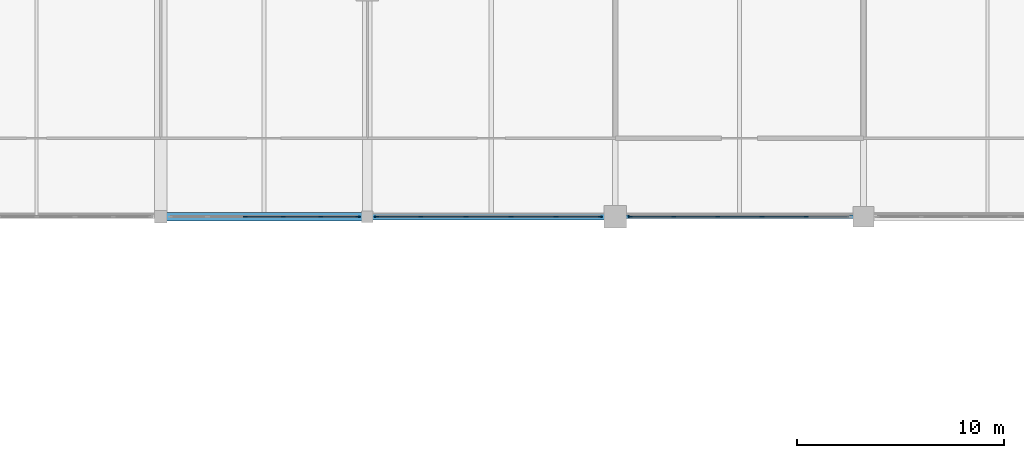
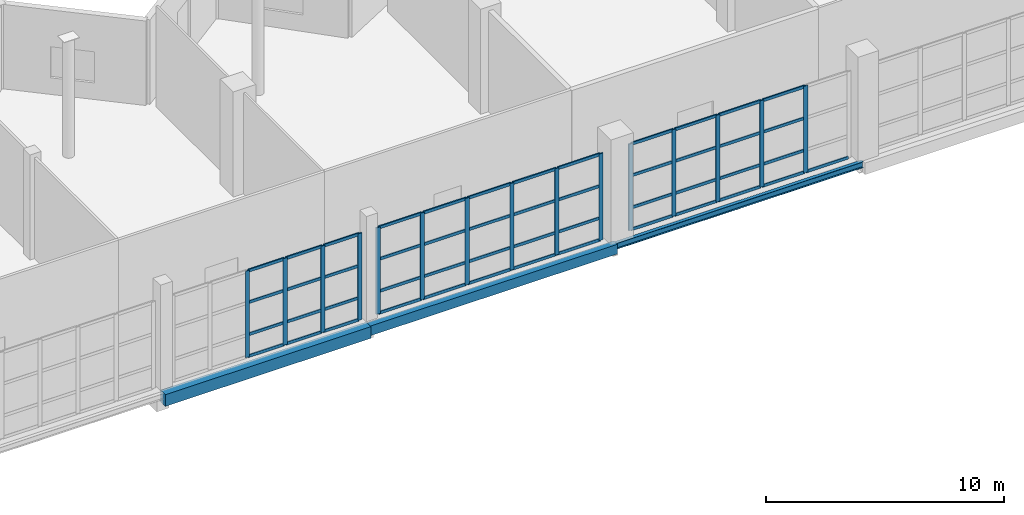
# One storey, part 26 of 49: 64 members, 3 beams, 3 elements without a shape of their own.
"""IFC4 building model written with IfcOpenShell, lengths in metres."""

import ifcopenshell
import ifcopenshell.guid

model = None  # the IFC model being written
_history = None  # IfcOwnerHistory: only IFC2X3 demands one
_inside = {}  # id of a spatial element -> (the spatial element, [elements in it])
_under = {}  # id of a project, library or spatial element -> (it, [spatial elements below it])
_declared = {}  # id of a project -> (the project, [libraries it declares])
_typed = {}  # id of a type object -> (the type object, [elements of that type])
_made_of = {}  # id of a material, layer set ... -> (it, [elements and type objects made of it])


def new_model(schema):
    """Start an empty IFC model of exactly this schema.

    Asked for "IFC4X3", IfcOpenShell would pick the latest addendum, in which some entities
    have other attributes; the version numbers below select the first issue.
    IFC2X3 requires an IfcOwnerHistory on every rooted entity: one is made here for all.
    """
    global model, _history
    if schema == "IFC4X3":
        model = ifcopenshell.file(schema_version=(4, 3, 0, 0))
    else:
        model = ifcopenshell.file(schema=schema)
    _inside.clear()
    _under.clear()
    _declared.clear()
    _typed.clear()
    _made_of.clear()
    _history = None
    if model.schema == "IFC2X3":
        org = make("IfcOrganization", Name="unknown")
        user = make(
            "IfcPersonAndOrganization",
            ThePerson=make("IfcPerson", FamilyName="unknown"),
            TheOrganization=org,
        )
        app = make(
            "IfcApplication",
            ApplicationDeveloper=org,
            Version="unknown",
            ApplicationFullName="unknown",
            ApplicationIdentifier="unknown",
        )
        _history = make(
            "IfcOwnerHistory",
            OwningUser=user,
            OwningApplication=app,
            ChangeAction="ADDED",
            CreationDate=0,
        )
    return model


def make(cls, **values):
    """One entity of the class cls with the attributes given. An attribute that is None is left unset."""
    return model.create_entity(
        cls, **{name: value for name, value in values.items() if value is not None}
    )


def rooted(cls, **values):
    """An entity with a GlobalId (a new one), such as an element, a storey or a relation."""
    return make(cls, GlobalId=ifcopenshell.guid.new(), OwnerHistory=_history, **values)


def si_unit(unit_type, name, prefix=None):
    """IfcSIUnit, for example si_unit("LENGTHUNIT", "METRE", prefix="MILLI")."""
    return make("IfcSIUnit", UnitType=unit_type, Prefix=prefix, Name=name)


def assignment(units):
    """IfcUnitAssignment: the units of a project."""
    return None if units is None else make("IfcUnitAssignment", Units=units)


def point(xyz):
    """IfcCartesianPoint."""
    return None if xyz is None else make("IfcCartesianPoint", Coordinates=xyz)


def direction(xyz):
    """IfcDirection."""
    return None if xyz is None else make("IfcDirection", DirectionRatios=xyz)


def frame(location, z_axis=None, x_axis=None):
    """IfcAxis2Placement3D, a coordinate frame: its origin and axes. An axis left out is left unset."""
    return make(
        "IfcAxis2Placement3D",
        Location=point(location),
        Axis=direction(z_axis),
        RefDirection=direction(x_axis),
    )


def frame_2d(location, x_axis=None):
    """IfcAxis2Placement2D, a coordinate frame in the plane: its origin and x axis."""
    return make(
        "IfcAxis2Placement2D", Location=point(location), RefDirection=direction(x_axis)
    )


def origin():
    """The frame at (0, 0, 0) with its axes left unset."""
    return frame((0.0, 0.0, 0.0))


def origin_2d():
    """The frame at (0, 0) in the plane with its x axis left unset."""
    return frame_2d((0.0, 0.0))


def place(relative_to, where):
    """IfcLocalPlacement: puts the frame where relative to a parent placement (None: the world)."""
    return make(
        "IfcLocalPlacement", PlacementRelTo=relative_to, RelativePlacement=where
    )


def context(
    kind, dimensions, precision=None, world=None, true_north=None, identifier=None
):
    """IfcGeometricRepresentationContext, for example the 3D "Model" context."""
    return make(
        "IfcGeometricRepresentationContext",
        ContextIdentifier=identifier,
        ContextType=kind,
        CoordinateSpaceDimension=dimensions,
        Precision=precision,
        WorldCoordinateSystem=world,
        TrueNorth=true_north,
    )


def subcontext(parent, identifier, kind, view, scale=None):
    """IfcGeometricRepresentationSubContext, for example "Body" below "Model"."""
    return make(
        "IfcGeometricRepresentationSubContext",
        ContextIdentifier=identifier,
        ContextType=kind,
        ParentContext=parent,
        TargetScale=scale,
        TargetView=view,
    )


def project(units=None, contexts=None):
    """IfcProject with its units and contexts."""
    return rooted(
        "IfcProject",
        Name="project",
        RepresentationContexts=contexts,
        UnitsInContext=assignment(units),
    )


def spatial(cls, under=None, at=None, **own):
    """A site, building, storey or space (cls), placed at a placement, below another one or the project."""
    s = rooted(cls, ObjectPlacement=at, **own)
    if under is not None:
        _under.setdefault(under.id(), (under, []))[1].append(s)
    return s


def profile(cls, at=None, kind="AREA", **sizes):
    """A parametric profile (cls). Its sizes go by their IFC names, for example OverallWidth=200.0."""
    return make(cls, ProfileType=kind, Position=at, **sizes)


def rectangle(**sizes):
    """IfcRectangleProfileDef."""
    return profile("IfcRectangleProfileDef", **sizes)


def hollow_rectangle(**sizes):
    """IfcRectangleHollowProfileDef."""
    return profile("IfcRectangleHollowProfileDef", **sizes)


def i_section(**sizes):
    """IfcIShapeProfileDef."""
    return profile("IfcIShapeProfileDef", **sizes)


def extrude(swept, where, along, depth):
    """IfcExtrudedAreaSolid: the profile swept, set in the frame where, extruded along a direction by depth."""
    return make(
        "IfcExtrudedAreaSolid",
        SweptArea=swept,
        Position=where,
        ExtrudedDirection=direction(along),
        Depth=depth,
    )


def shape(context_of_items, identifier, shape_type, items):
    """IfcShapeRepresentation: the items that make up one representation, for example the "Body"."""
    return make(
        "IfcShapeRepresentation",
        ContextOfItems=context_of_items,
        RepresentationIdentifier=identifier,
        RepresentationType=shape_type,
        Items=items,
    )


def material(Name=None, Category=None):
    """IfcMaterial."""
    return make("IfcMaterial", Name=Name, Category=Category)


def material_profile(
    of_material, cross_section, Name=None, Category=None, Priority=None
):
    """IfcMaterialProfile: a cross section and its material."""
    return make(
        "IfcMaterialProfile",
        Name=Name,
        Material=of_material,
        Profile=cross_section,
        Priority=Priority,
        Category=Category,
    )


def profile_set(profiles, Name=None, composite=None):
    """IfcMaterialProfileSet."""
    return make(
        "IfcMaterialProfileSet",
        Name=Name,
        MaterialProfiles=profiles,
        CompositeProfile=composite,
    )


def made_of(thing, what):
    """Note that an element or type object is made of a material, layer set ...; save() writes the relation."""
    if what is not None:
        _made_of.setdefault(what.id(), (what, []))[1].append(thing)
    return thing


def type_object(cls, material=None, **own):
    """A type object (cls), such as IfcWallType, which elements share."""
    return made_of(rooted(cls, **own), material)


def element(
    cls,
    number,
    at=None,
    inside=None,
    cuts=None,
    type_object=None,
    material=None,
    context=None,
    identifier="Body",
    shape_type=None,
    held_by="IfcProductDefinitionShape",
    body=None,
    shapes=None,
    **own,
):
    """One element of the class cls, such as IfcWall. Its Tag is "e" and its number.

    at: its placement. inside: the storey or other place that contains it. cuts: it is an
    opening in that element (IfcRelVoidsElement). A single representation is given by context,
    identifier, shape_type and body (its items); several are given by shapes. held_by: the class
    of the entity that holds the representations. save() writes the other relations.
    """
    e = rooted(cls, Tag="e%d" % number, ObjectPlacement=at, **own)
    if body is not None:
        shapes = [shape(context, identifier, shape_type, body)]
    if shapes is not None:
        e.Representation = make(held_by, Representations=shapes)
    if inside is not None:
        _inside.setdefault(inside.id(), (inside, []))[1].append(e)
    if cuts is not None:
        rooted(
            "IfcRelVoidsElement", RelatingBuildingElement=cuts, RelatedOpeningElement=e
        )
    if type_object is not None:
        _typed.setdefault(type_object.id(), (type_object, []))[1].append(e)
    return made_of(e, material)


def aggregate(whole, parts):
    """IfcRelAggregates: a whole, such as a stair, and the parts it consists of."""
    return rooted("IfcRelAggregates", RelatingObject=whole, RelatedObjects=parts)


def save(model, path):
    """Write the relations noted so far, then the file.

    IfcRelAggregates (storeys below a building ...), IfcRelContainedInSpatialStructure (elements
    in a storey), IfcRelDefinesByType, IfcRelAssociatesMaterial and IfcRelDeclares: one each for
    every whole, place, type object, material and project.
    """
    for whole, parts in _under.values():
        aggregate(whole, parts)
    for where, things in _inside.values():
        rooted(
            "IfcRelContainedInSpatialStructure",
            RelatedElements=things,
            RelatingStructure=where,
        )
    for kind, things in _typed.values():
        rooted("IfcRelDefinesByType", RelatedObjects=things, RelatingType=kind)
    for what, things in _made_of.values():
        rooted("IfcRelAssociatesMaterial", RelatedObjects=things, RelatingMaterial=what)
    for by, libraries in _declared.values():
        rooted("IfcRelDeclares", RelatingContext=by, RelatedDefinitions=libraries)
    model.write(path)


model = new_model("IFC4")

# Units and contexts
model_context = context("Model", 3, precision=1e-05, world=origin(), true_north=direction((0.0, 1.0)))
body_context = subcontext(model_context, "Body", "Model", "MODEL_VIEW")
ifc_project = project(units=[si_unit("LENGTHUNIT", "METRE"), si_unit("AREAUNIT", "SQUARE_METRE"), si_unit("VOLUMEUNIT", "CUBIC_METRE"), si_unit("PLANEANGLEUNIT", "RADIAN"), si_unit("MASSUNIT", "GRAM", prefix="KILO")], contexts=[model_context])

# Site, building, storey
site_placement = place(None, origin())
site = spatial("IfcSite", under=ifc_project, at=site_placement, CompositionType="ELEMENT")
building_placement = place(site_placement, origin())
building = spatial("IfcBuilding", under=site, at=building_placement, Name="Luwafu Chhajja Arena", CompositionType="ELEMENT")
storey_placement = place(building_placement, frame((0.0, 0.0, 24.300048828125)))
storey = spatial("IfcBuildingStorey", under=building, at=storey_placement, Name="L05", CompositionType="ELEMENT", Elevation=24.300048828125)

# Curtain wall, members
ifc_material_1 = material(Name="Anodised bronze aluminium", Category="aluminium")
curtain_wall_type = type_object("IfcCurtainWallType", Name="VIP Club Terrace Curtain Wall", PredefinedType="USERDEFINED", material=ifc_material_1)
curtain_wall_1_placement = place(storey_placement, origin())
curtain_wall_1 = element("IfcCurtainWall", 1, at=curtain_wall_1_placement, inside=storey, type_object=curtain_wall_type, Name="L05 Bowl Viewing Curtain Wall CWR-L05-11", ObjectType="CURTAIN WALL", PredefinedType="USERDEFINED")
ifc_material_profile_1 = material_profile(ifc_material_1, rectangle(XDim=0.06494140625, YDim=0.199951171875, at=origin_2d()), Name="CWM 65x200")
ifc_profile_set_1 = profile_set([ifc_material_profile_1], Name="Anodised bronze aluminium")
member_type_1 = type_object("IfcMemberType", Name="Bronze Curtain Wall Mullion 65x200", PredefinedType="MULLION", material=ifc_profile_set_1)
member_1_placement = place(storey_placement, frame((98.097900390625, 77.0, 0.0), z_axis=(0.0, 0.0, 1.0), x_axis=(0.0, 1.0, 0.0)))
member_1 = element("IfcMember", 2, at=member_1_placement, type_object=member_type_1, Name="CW-10 mullion 3", PredefinedType="MULLION", context=body_context, shape_type="SweptSolid", body=[
    extrude(rectangle(XDim=0.06494140625, YDim=0.199951171875, at=origin_2d()), origin(), (0.0, 0.0, 1.0), 4.449951171875),
])
member_2_placement = place(storey_placement, frame((99.927001953125, 77.0, 0.0), z_axis=(0.0, 0.0, 1.0), x_axis=(0.0, 1.0, 0.0)))
member_2 = element("IfcMember", 3, at=member_2_placement, type_object=member_type_1, Name="CW-10 mullion 4", PredefinedType="MULLION", context=body_context, shape_type="SweptSolid", body=[
    extrude(rectangle(XDim=0.06494140625, YDim=0.199951171875, at=origin_2d()), origin(), (0.0, 0.0, 1.0), 4.449951171875),
])
member_3_placement = place(storey_placement, frame((101.756103515625, 77.0, 0.0), z_axis=(0.0, 0.0, 1.0), x_axis=(0.0, 1.0, 0.0)))
member_3 = element("IfcMember", 4, at=member_3_placement, type_object=member_type_1, Name="CW-10 mullion 5", PredefinedType="MULLION", context=body_context, shape_type="SweptSolid", body=[
    extrude(rectangle(XDim=0.06494140625, YDim=0.199951171875, at=origin_2d()), origin(), (0.0, 0.0, 1.0), 4.449951171875),
])
member_4_placement = place(storey_placement, frame((103.552490234375, 77.0, 0.0), z_axis=(0.0, 0.0, 1.0), x_axis=(0.0, 1.0, 0.0)))
member_4 = element("IfcMember", 5, at=member_4_placement, type_object=member_type_1, Name="CW-10 mullion 6", PredefinedType="MULLION", context=body_context, shape_type="SweptSolid", body=[
    extrude(rectangle(XDim=0.06494140625, YDim=0.199951171875, at=origin_2d()), origin(), (0.0, 0.0, 1.0), 4.449951171875),
])

curtain_wall_2_placement = place(storey_placement, origin())
curtain_wall_2 = element("IfcCurtainWall", 6, at=curtain_wall_2_placement, inside=storey, type_object=curtain_wall_type, Name="L05 Bowl Viewing Curtain Wall CWR-L05-12", ObjectType="CURTAIN WALL", PredefinedType="USERDEFINED")
member_5_placement = place(storey_placement, frame((104.447509765625, 77.0, 0.0), z_axis=(0.0, 0.0, 1.0), x_axis=(0.0, 1.0, 0.0)))
member_5 = element("IfcMember", 7, at=member_5_placement, type_object=member_type_1, Name="CW-10 mullion 1", PredefinedType="MULLION", context=body_context, shape_type="SweptSolid", body=[
    extrude(rectangle(XDim=0.06494140625, YDim=0.199951171875, at=origin_2d()), origin(), (0.0, 0.0, 1.0), 4.449951171875),
])
member_6_placement = place(storey_placement, frame((106.593994140625, 77.0, 0.0), z_axis=(0.0, 0.0, 1.0), x_axis=(0.0, 1.0, 0.0)))
member_6 = element("IfcMember", 8, at=member_6_placement, type_object=member_type_1, Name="CW-10 mullion 2", PredefinedType="MULLION", context=body_context, shape_type="SweptSolid", body=[
    extrude(rectangle(XDim=0.06494140625, YDim=0.199951171875, at=origin_2d()), origin(), (0.0, 0.0, 1.0), 4.449951171875),
])
member_7_placement = place(storey_placement, frame((108.77294921875, 77.0, 0.0), z_axis=(0.0, 0.0, 1.0), x_axis=(0.0, 1.0, 0.0)))
member_7 = element("IfcMember", 9, at=member_7_placement, type_object=member_type_1, Name="CW-10 mullion 3", PredefinedType="MULLION", context=body_context, shape_type="SweptSolid", body=[
    extrude(rectangle(XDim=0.06494140625, YDim=0.199951171875, at=origin_2d()), origin(), (0.0, 0.0, 1.0), 4.449951171875),
])
member_8_placement = place(storey_placement, frame((110.951904296875, 77.0, 0.0), z_axis=(0.0, 0.0, 1.0), x_axis=(0.0, 1.0, 0.0)))
member_8 = element("IfcMember", 10, at=member_8_placement, type_object=member_type_1, Name="CW-10 mullion 4", PredefinedType="MULLION", context=body_context, shape_type="SweptSolid", body=[
    extrude(rectangle(XDim=0.06494140625, YDim=0.199951171875, at=origin_2d()), origin(), (0.0, 0.0, 1.0), 4.449951171875),
])
member_9_placement = place(storey_placement, frame((113.131103515625, 77.0, 0.0), z_axis=(0.0, 0.0, 1.0), x_axis=(0.0, 1.0, 0.0)))
member_9 = element("IfcMember", 11, at=member_9_placement, type_object=member_type_1, Name="CW-10 mullion 5", PredefinedType="MULLION", context=body_context, shape_type="SweptSolid", body=[
    extrude(rectangle(XDim=0.06494140625, YDim=0.199951171875, at=origin_2d()), origin(), (0.0, 0.0, 1.0), 4.449951171875),
])
member_10_placement = place(storey_placement, frame((115.277587890625, 77.0, 0.0), z_axis=(0.0, 0.0, 1.0), x_axis=(0.0, 1.0, 0.0)))
member_10 = element("IfcMember", 12, at=member_10_placement, type_object=member_type_1, Name="CW-10 mullion 6", PredefinedType="MULLION", context=body_context, shape_type="SweptSolid", body=[
    extrude(rectangle(XDim=0.06494140625, YDim=0.199951171875, at=origin_2d()), origin(), (0.0, 0.0, 1.0), 4.449951171875),
])

curtain_wall_3_placement = place(storey_placement, origin())
curtain_wall_3 = element("IfcCurtainWall", 13, at=curtain_wall_3_placement, inside=storey, type_object=curtain_wall_type, Name="L05 Bowl Viewing Curtain Wall CWR-L05-13", ObjectType="CURTAIN WALL", PredefinedType="USERDEFINED")
member_11_placement = place(storey_placement, frame((116.722412109375, 77.0, 0.0), z_axis=(0.0, 0.0, 1.0), x_axis=(0.0, 1.0, 0.0)))
member_11 = element("IfcMember", 14, at=member_11_placement, type_object=member_type_1, Name="CW-10 mullion 1", PredefinedType="MULLION", context=body_context, shape_type="SweptSolid", body=[
    extrude(rectangle(XDim=0.06494140625, YDim=0.199951171875, at=origin_2d()), origin(), (0.0, 0.0, 1.0), 4.449951171875),
])
member_12_placement = place(storey_placement, frame((118.823974609375, 77.0, 0.0), z_axis=(0.0, 0.0, 1.0), x_axis=(0.0, 1.0, 0.0)))
member_12 = element("IfcMember", 15, at=member_12_placement, type_object=member_type_1, Name="CW-10 mullion 2", PredefinedType="MULLION", context=body_context, shape_type="SweptSolid", body=[
    extrude(rectangle(XDim=0.06494140625, YDim=0.199951171875, at=origin_2d()), origin(), (0.0, 0.0, 1.0), 4.449951171875),
])
member_13_placement = place(storey_placement, frame((120.9580078125, 77.0, 0.0), z_axis=(0.0, 0.0, 1.0), x_axis=(0.0, 1.0, 0.0)))
member_13 = element("IfcMember", 16, at=member_13_placement, type_object=member_type_1, Name="CW-10 mullion 3", PredefinedType="MULLION", context=body_context, shape_type="SweptSolid", body=[
    extrude(rectangle(XDim=0.06494140625, YDim=0.199951171875, at=origin_2d()), origin(), (0.0, 0.0, 1.0), 4.449951171875),
])
member_14_placement = place(storey_placement, frame((123.092041015625, 77.0, 0.0), z_axis=(0.0, 0.0, 1.0), x_axis=(0.0, 1.0, 0.0)))
member_14 = element("IfcMember", 17, at=member_14_placement, type_object=member_type_1, Name="CW-10 mullion 4", PredefinedType="MULLION", context=body_context, shape_type="SweptSolid", body=[
    extrude(rectangle(XDim=0.06494140625, YDim=0.199951171875, at=origin_2d()), origin(), (0.0, 0.0, 1.0), 4.449951171875),
])
member_15_placement = place(storey_placement, frame((125.22607421875, 77.0, 0.0), z_axis=(0.0, 0.0, 1.0), x_axis=(0.0, 1.0, 0.0)))
member_15 = element("IfcMember", 18, at=member_15_placement, type_object=member_type_1, Name="CW-10 mullion 5", PredefinedType="MULLION", context=body_context, shape_type="SweptSolid", body=[
    extrude(rectangle(XDim=0.06494140625, YDim=0.199951171875, at=origin_2d()), origin(), (0.0, 0.0, 1.0), 4.449951171875),
])

# Member
ifc_material_profile_2 = material_profile(ifc_material_1, rectangle(XDim=0.06494140625, YDim=0.14990234375, at=origin_2d()), Name="CWT 65x150")
ifc_profile_set_2 = profile_set([ifc_material_profile_2], Name="Anodised bronze aluminium")
member_type_2 = type_object("IfcMemberType", Name="Bronze Curtain Wall Transom 65x150", PredefinedType="USERDEFINED", material=ifc_profile_set_2)
member_16_placement = place(storey_placement, frame((98.130615234375, 77.0, 0.032470703125), z_axis=(1.0, 0.0, 0.0), x_axis=(0.0, 1.0, 0.0)))
member_16 = element("IfcMember", 19, at=member_16_placement, type_object=member_type_2, Name="CW-10 transom 3.1", ObjectType="TRANSOM", PredefinedType="USERDEFINED", context=body_context, shape_type="SweptSolid", body=[
    extrude(rectangle(XDim=0.06494140625, YDim=0.14990234375, at=origin_2d()), origin(), (0.0, 0.0, 1.0), 1.763916015625),
])

member_17_placement = place(storey_placement, frame((98.130615234375, 77.0, 1.14990234375), z_axis=(1.0, 0.0, 0.0), x_axis=(0.0, 1.0, 0.0)))
member_17 = element("IfcMember", 20, at=member_17_placement, type_object=member_type_2, Name="CW-10 transom 3.2", ObjectType="TRANSOM", PredefinedType="USERDEFINED", context=body_context, shape_type="SweptSolid", body=[
    extrude(rectangle(XDim=0.06494140625, YDim=0.14990234375, at=origin_2d()), origin(), (0.0, 0.0, 1.0), 1.763916015625),
])

member_18_placement = place(storey_placement, frame((98.130615234375, 77.0, 2.800048828125), z_axis=(1.0, 0.0, 0.0), x_axis=(0.0, 1.0, 0.0)))
member_18 = element("IfcMember", 21, at=member_18_placement, type_object=member_type_2, Name="CW-10 transom 3.3", ObjectType="TRANSOM", PredefinedType="USERDEFINED", context=body_context, shape_type="SweptSolid", body=[
    extrude(rectangle(XDim=0.06494140625, YDim=0.14990234375, at=origin_2d()), origin(), (0.0, 0.0, 1.0), 1.763916015625),
])

member_19_placement = place(storey_placement, frame((98.130615234375, 77.0, 4.41748046875), z_axis=(1.0, 0.0, 0.0), x_axis=(0.0, 1.0, 0.0)))
member_19 = element("IfcMember", 22, at=member_19_placement, type_object=member_type_2, Name="CW-10 transom 3.4", ObjectType="TRANSOM", PredefinedType="USERDEFINED", context=body_context, shape_type="SweptSolid", body=[
    extrude(rectangle(XDim=0.06494140625, YDim=0.14990234375, at=origin_2d()), origin(), (0.0, 0.0, 1.0), 1.763916015625),
])

member_20_placement = place(storey_placement, frame((99.95947265625, 77.0, 0.032470703125), z_axis=(1.0, 0.0, 0.0), x_axis=(0.0, 1.0, 0.0)))
member_20 = element("IfcMember", 23, at=member_20_placement, type_object=member_type_2, Name="CW-10 transom 4.1", ObjectType="TRANSOM", PredefinedType="USERDEFINED", context=body_context, shape_type="SweptSolid", body=[
    extrude(rectangle(XDim=0.06494140625, YDim=0.14990234375, at=origin_2d()), origin(), (0.0, 0.0, 1.0), 1.763916015625),
])

member_21_placement = place(storey_placement, frame((99.95947265625, 77.0, 1.14990234375), z_axis=(1.0, 0.0, 0.0), x_axis=(0.0, 1.0, 0.0)))
member_21 = element("IfcMember", 24, at=member_21_placement, type_object=member_type_2, Name="CW-10 transom 4.2", ObjectType="TRANSOM", PredefinedType="USERDEFINED", context=body_context, shape_type="SweptSolid", body=[
    extrude(rectangle(XDim=0.06494140625, YDim=0.14990234375, at=origin_2d()), origin(), (0.0, 0.0, 1.0), 1.763916015625),
])

member_22_placement = place(storey_placement, frame((99.95947265625, 77.0, 2.800048828125), z_axis=(1.0, 0.0, 0.0), x_axis=(0.0, 1.0, 0.0)))
member_22 = element("IfcMember", 25, at=member_22_placement, type_object=member_type_2, Name="CW-10 transom 4.3", ObjectType="TRANSOM", PredefinedType="USERDEFINED", context=body_context, shape_type="SweptSolid", body=[
    extrude(rectangle(XDim=0.06494140625, YDim=0.14990234375, at=origin_2d()), origin(), (0.0, 0.0, 1.0), 1.763916015625),
])

member_23_placement = place(storey_placement, frame((99.95947265625, 77.0, 4.41748046875), z_axis=(1.0, 0.0, 0.0), x_axis=(0.0, 1.0, 0.0)))
member_23 = element("IfcMember", 26, at=member_23_placement, type_object=member_type_2, Name="CW-10 transom 4.4", ObjectType="TRANSOM", PredefinedType="USERDEFINED", context=body_context, shape_type="SweptSolid", body=[
    extrude(rectangle(XDim=0.06494140625, YDim=0.14990234375, at=origin_2d()), origin(), (0.0, 0.0, 1.0), 1.763916015625),
])

member_24_placement = place(storey_placement, frame((101.78857421875, 77.0, 0.032470703125), z_axis=(1.0, 0.0, 0.0), x_axis=(0.0, 1.0, 0.0)))
member_24 = element("IfcMember", 27, at=member_24_placement, type_object=member_type_2, Name="CW-10 transom 5.1", ObjectType="TRANSOM", PredefinedType="USERDEFINED", context=body_context, shape_type="SweptSolid", body=[
    extrude(rectangle(XDim=0.06494140625, YDim=0.14990234375, at=origin_2d()), origin(), (0.0, 0.0, 1.0), 1.7314453125),
])

member_25_placement = place(storey_placement, frame((101.78857421875, 77.0, 1.14990234375), z_axis=(1.0, 0.0, 0.0), x_axis=(0.0, 1.0, 0.0)))
member_25 = element("IfcMember", 28, at=member_25_placement, type_object=member_type_2, Name="CW-10 transom 5.2", ObjectType="TRANSOM", PredefinedType="USERDEFINED", context=body_context, shape_type="SweptSolid", body=[
    extrude(rectangle(XDim=0.06494140625, YDim=0.14990234375, at=origin_2d()), origin(), (0.0, 0.0, 1.0), 1.7314453125),
])

member_26_placement = place(storey_placement, frame((101.78857421875, 77.0, 2.800048828125), z_axis=(1.0, 0.0, 0.0), x_axis=(0.0, 1.0, 0.0)))
member_26 = element("IfcMember", 29, at=member_26_placement, type_object=member_type_2, Name="CW-10 transom 5.3", ObjectType="TRANSOM", PredefinedType="USERDEFINED", context=body_context, shape_type="SweptSolid", body=[
    extrude(rectangle(XDim=0.06494140625, YDim=0.14990234375, at=origin_2d()), origin(), (0.0, 0.0, 1.0), 1.7314453125),
])

member_27_placement = place(storey_placement, frame((101.78857421875, 77.0, 4.41748046875), z_axis=(1.0, 0.0, 0.0), x_axis=(0.0, 1.0, 0.0)))
member_27 = element("IfcMember", 30, at=member_27_placement, type_object=member_type_2, Name="CW-10 transom 5.4", ObjectType="TRANSOM", PredefinedType="USERDEFINED", context=body_context, shape_type="SweptSolid", body=[
    extrude(rectangle(XDim=0.06494140625, YDim=0.14990234375, at=origin_2d()), origin(), (0.0, 0.0, 1.0), 1.7314453125),
])

aggregate(curtain_wall_1, [member_1, member_2, member_3, member_4, member_16, member_17, member_18, member_19, member_20, member_21, member_22, member_23, member_24, member_25, member_26, member_27])

member_28_placement = place(storey_placement, frame((104.47998046875, 77.0, 0.032470703125), z_axis=(1.0, 0.0, 0.0), x_axis=(0.0, 1.0, 0.0)))
member_28 = element("IfcMember", 31, at=member_28_placement, type_object=member_type_2, Name="CW-10 transom 1.1", ObjectType="TRANSOM", PredefinedType="USERDEFINED", context=body_context, shape_type="SweptSolid", body=[
    extrude(rectangle(XDim=0.06494140625, YDim=0.14990234375, at=origin_2d()), origin(), (0.0, 0.0, 1.0), 2.08154296875),
])

member_29_placement = place(storey_placement, frame((104.47998046875, 77.0, 1.14990234375), z_axis=(1.0, 0.0, 0.0), x_axis=(0.0, 1.0, 0.0)))
member_29 = element("IfcMember", 32, at=member_29_placement, type_object=member_type_2, Name="CW-10 transom 1.2", ObjectType="TRANSOM", PredefinedType="USERDEFINED", context=body_context, shape_type="SweptSolid", body=[
    extrude(rectangle(XDim=0.06494140625, YDim=0.14990234375, at=origin_2d()), origin(), (0.0, 0.0, 1.0), 2.08154296875),
])

member_30_placement = place(storey_placement, frame((104.47998046875, 77.0, 2.800048828125), z_axis=(1.0, 0.0, 0.0), x_axis=(0.0, 1.0, 0.0)))
member_30 = element("IfcMember", 33, at=member_30_placement, type_object=member_type_2, Name="CW-10 transom 1.3", ObjectType="TRANSOM", PredefinedType="USERDEFINED", context=body_context, shape_type="SweptSolid", body=[
    extrude(rectangle(XDim=0.06494140625, YDim=0.14990234375, at=origin_2d()), origin(), (0.0, 0.0, 1.0), 2.08154296875),
])

member_31_placement = place(storey_placement, frame((104.47998046875, 77.0, 4.41748046875), z_axis=(1.0, 0.0, 0.0), x_axis=(0.0, 1.0, 0.0)))
member_31 = element("IfcMember", 34, at=member_31_placement, type_object=member_type_2, Name="CW-10 transom 1.4", ObjectType="TRANSOM", PredefinedType="USERDEFINED", context=body_context, shape_type="SweptSolid", body=[
    extrude(rectangle(XDim=0.06494140625, YDim=0.14990234375, at=origin_2d()), origin(), (0.0, 0.0, 1.0), 2.08154296875),
])

member_32_placement = place(storey_placement, frame((106.62646484375, 77.0, 0.032470703125), z_axis=(1.0, 0.0, 0.0), x_axis=(0.0, 1.0, 0.0)))
member_32 = element("IfcMember", 35, at=member_32_placement, type_object=member_type_2, Name="CW-10 transom 2.1", ObjectType="TRANSOM", PredefinedType="USERDEFINED", context=body_context, shape_type="SweptSolid", body=[
    extrude(rectangle(XDim=0.06494140625, YDim=0.14990234375, at=origin_2d()), origin(), (0.0, 0.0, 1.0), 2.114013671875),
])

member_33_placement = place(storey_placement, frame((106.62646484375, 77.0, 1.14990234375), z_axis=(1.0, 0.0, 0.0), x_axis=(0.0, 1.0, 0.0)))
member_33 = element("IfcMember", 36, at=member_33_placement, type_object=member_type_2, Name="CW-10 transom 2.2", ObjectType="TRANSOM", PredefinedType="USERDEFINED", context=body_context, shape_type="SweptSolid", body=[
    extrude(rectangle(XDim=0.06494140625, YDim=0.14990234375, at=origin_2d()), origin(), (0.0, 0.0, 1.0), 2.114013671875),
])

member_34_placement = place(storey_placement, frame((106.62646484375, 77.0, 2.800048828125), z_axis=(1.0, 0.0, 0.0), x_axis=(0.0, 1.0, 0.0)))
member_34 = element("IfcMember", 37, at=member_34_placement, type_object=member_type_2, Name="CW-10 transom 2.3", ObjectType="TRANSOM", PredefinedType="USERDEFINED", context=body_context, shape_type="SweptSolid", body=[
    extrude(rectangle(XDim=0.06494140625, YDim=0.14990234375, at=origin_2d()), origin(), (0.0, 0.0, 1.0), 2.114013671875),
])

member_35_placement = place(storey_placement, frame((106.62646484375, 77.0, 4.41748046875), z_axis=(1.0, 0.0, 0.0), x_axis=(0.0, 1.0, 0.0)))
member_35 = element("IfcMember", 38, at=member_35_placement, type_object=member_type_2, Name="CW-10 transom 2.4", ObjectType="TRANSOM", PredefinedType="USERDEFINED", context=body_context, shape_type="SweptSolid", body=[
    extrude(rectangle(XDim=0.06494140625, YDim=0.14990234375, at=origin_2d()), origin(), (0.0, 0.0, 1.0), 2.114013671875),
])

member_36_placement = place(storey_placement, frame((108.805419921875, 77.0, 0.032470703125), z_axis=(1.0, 0.0, 0.0), x_axis=(0.0, 1.0, 0.0)))
member_36 = element("IfcMember", 39, at=member_36_placement, type_object=member_type_2, Name="CW-10 transom 3.1", ObjectType="TRANSOM", PredefinedType="USERDEFINED", context=body_context, shape_type="SweptSolid", body=[
    extrude(rectangle(XDim=0.06494140625, YDim=0.14990234375, at=origin_2d()), origin(), (0.0, 0.0, 1.0), 2.114013671875),
])

member_37_placement = place(storey_placement, frame((108.805419921875, 77.0, 1.14990234375), z_axis=(1.0, 0.0, 0.0), x_axis=(0.0, 1.0, 0.0)))
member_37 = element("IfcMember", 40, at=member_37_placement, type_object=member_type_2, Name="CW-10 transom 3.2", ObjectType="TRANSOM", PredefinedType="USERDEFINED", context=body_context, shape_type="SweptSolid", body=[
    extrude(rectangle(XDim=0.06494140625, YDim=0.14990234375, at=origin_2d()), origin(), (0.0, 0.0, 1.0), 2.114013671875),
])

member_38_placement = place(storey_placement, frame((108.805419921875, 77.0, 2.800048828125), z_axis=(1.0, 0.0, 0.0), x_axis=(0.0, 1.0, 0.0)))
member_38 = element("IfcMember", 41, at=member_38_placement, type_object=member_type_2, Name="CW-10 transom 3.3", ObjectType="TRANSOM", PredefinedType="USERDEFINED", context=body_context, shape_type="SweptSolid", body=[
    extrude(rectangle(XDim=0.06494140625, YDim=0.14990234375, at=origin_2d()), origin(), (0.0, 0.0, 1.0), 2.114013671875),
])

member_39_placement = place(storey_placement, frame((108.805419921875, 77.0, 4.41748046875), z_axis=(1.0, 0.0, 0.0), x_axis=(0.0, 1.0, 0.0)))
member_39 = element("IfcMember", 42, at=member_39_placement, type_object=member_type_2, Name="CW-10 transom 3.4", ObjectType="TRANSOM", PredefinedType="USERDEFINED", context=body_context, shape_type="SweptSolid", body=[
    extrude(rectangle(XDim=0.06494140625, YDim=0.14990234375, at=origin_2d()), origin(), (0.0, 0.0, 1.0), 2.114013671875),
])

member_40_placement = place(storey_placement, frame((110.984619140625, 77.0, 0.032470703125), z_axis=(1.0, 0.0, 0.0), x_axis=(0.0, 1.0, 0.0)))
member_40 = element("IfcMember", 43, at=member_40_placement, type_object=member_type_2, Name="CW-10 transom 4.1", ObjectType="TRANSOM", PredefinedType="USERDEFINED", context=body_context, shape_type="SweptSolid", body=[
    extrude(rectangle(XDim=0.06494140625, YDim=0.14990234375, at=origin_2d()), origin(), (0.0, 0.0, 1.0), 2.11376953125),
])

member_41_placement = place(storey_placement, frame((110.984619140625, 77.0, 1.14990234375), z_axis=(1.0, 0.0, 0.0), x_axis=(0.0, 1.0, 0.0)))
member_41 = element("IfcMember", 44, at=member_41_placement, type_object=member_type_2, Name="CW-10 transom 4.2", ObjectType="TRANSOM", PredefinedType="USERDEFINED", context=body_context, shape_type="SweptSolid", body=[
    extrude(rectangle(XDim=0.06494140625, YDim=0.14990234375, at=origin_2d()), origin(), (0.0, 0.0, 1.0), 2.11376953125),
])

member_42_placement = place(storey_placement, frame((110.984619140625, 77.0, 2.800048828125), z_axis=(1.0, 0.0, 0.0), x_axis=(0.0, 1.0, 0.0)))
member_42 = element("IfcMember", 45, at=member_42_placement, type_object=member_type_2, Name="CW-10 transom 4.3", ObjectType="TRANSOM", PredefinedType="USERDEFINED", context=body_context, shape_type="SweptSolid", body=[
    extrude(rectangle(XDim=0.06494140625, YDim=0.14990234375, at=origin_2d()), origin(), (0.0, 0.0, 1.0), 2.11376953125),
])

member_43_placement = place(storey_placement, frame((110.984619140625, 77.0, 4.41748046875), z_axis=(1.0, 0.0, 0.0), x_axis=(0.0, 1.0, 0.0)))
member_43 = element("IfcMember", 46, at=member_43_placement, type_object=member_type_2, Name="CW-10 transom 4.4", ObjectType="TRANSOM", PredefinedType="USERDEFINED", context=body_context, shape_type="SweptSolid", body=[
    extrude(rectangle(XDim=0.06494140625, YDim=0.14990234375, at=origin_2d()), origin(), (0.0, 0.0, 1.0), 2.11376953125),
])

member_44_placement = place(storey_placement, frame((113.16357421875, 77.0, 0.032470703125), z_axis=(1.0, 0.0, 0.0), x_axis=(0.0, 1.0, 0.0)))
member_44 = element("IfcMember", 47, at=member_44_placement, type_object=member_type_2, Name="CW-10 transom 5.1", ObjectType="TRANSOM", PredefinedType="USERDEFINED", context=body_context, shape_type="SweptSolid", body=[
    extrude(rectangle(XDim=0.06494140625, YDim=0.14990234375, at=origin_2d()), origin(), (0.0, 0.0, 1.0), 2.08154296875),
])

member_45_placement = place(storey_placement, frame((113.16357421875, 77.0, 1.14990234375), z_axis=(1.0, 0.0, 0.0), x_axis=(0.0, 1.0, 0.0)))
member_45 = element("IfcMember", 48, at=member_45_placement, type_object=member_type_2, Name="CW-10 transom 5.2", ObjectType="TRANSOM", PredefinedType="USERDEFINED", context=body_context, shape_type="SweptSolid", body=[
    extrude(rectangle(XDim=0.06494140625, YDim=0.14990234375, at=origin_2d()), origin(), (0.0, 0.0, 1.0), 2.08154296875),
])

member_46_placement = place(storey_placement, frame((113.16357421875, 77.0, 2.800048828125), z_axis=(1.0, 0.0, 0.0), x_axis=(0.0, 1.0, 0.0)))
member_46 = element("IfcMember", 49, at=member_46_placement, type_object=member_type_2, Name="CW-10 transom 5.3", ObjectType="TRANSOM", PredefinedType="USERDEFINED", context=body_context, shape_type="SweptSolid", body=[
    extrude(rectangle(XDim=0.06494140625, YDim=0.14990234375, at=origin_2d()), origin(), (0.0, 0.0, 1.0), 2.08154296875),
])

member_47_placement = place(storey_placement, frame((113.16357421875, 77.0, 4.41748046875), z_axis=(1.0, 0.0, 0.0), x_axis=(0.0, 1.0, 0.0)))
member_47 = element("IfcMember", 50, at=member_47_placement, type_object=member_type_2, Name="CW-10 transom 5.4", ObjectType="TRANSOM", PredefinedType="USERDEFINED", context=body_context, shape_type="SweptSolid", body=[
    extrude(rectangle(XDim=0.06494140625, YDim=0.14990234375, at=origin_2d()), origin(), (0.0, 0.0, 1.0), 2.08154296875),
])

aggregate(curtain_wall_2, [member_5, member_6, member_7, member_8, member_9, member_10, member_28, member_29, member_30, member_31, member_32, member_33, member_34, member_35, member_36, member_37, member_38, member_39, member_40, member_41, member_42, member_43, member_44, member_45, member_46, member_47])

member_48_placement = place(storey_placement, frame((116.7548828125, 77.0, 0.032470703125), z_axis=(1.0, 0.0, 0.0), x_axis=(0.0, 1.0, 0.0)))
member_48 = element("IfcMember", 51, at=member_48_placement, type_object=member_type_2, Name="CW-10 transom 1.1", ObjectType="TRANSOM", PredefinedType="USERDEFINED", context=body_context, shape_type="SweptSolid", body=[
    extrude(rectangle(XDim=0.06494140625, YDim=0.14990234375, at=origin_2d()), origin(), (0.0, 0.0, 1.0), 2.03662109375),
])

member_49_placement = place(storey_placement, frame((116.7548828125, 77.0, 1.14990234375), z_axis=(1.0, 0.0, 0.0), x_axis=(0.0, 1.0, 0.0)))
member_49 = element("IfcMember", 52, at=member_49_placement, type_object=member_type_2, Name="CW-10 transom 1.2", ObjectType="TRANSOM", PredefinedType="USERDEFINED", context=body_context, shape_type="SweptSolid", body=[
    extrude(rectangle(XDim=0.06494140625, YDim=0.14990234375, at=origin_2d()), origin(), (0.0, 0.0, 1.0), 2.03662109375),
])

member_50_placement = place(storey_placement, frame((116.7548828125, 77.0, 2.800048828125), z_axis=(1.0, 0.0, 0.0), x_axis=(0.0, 1.0, 0.0)))
member_50 = element("IfcMember", 53, at=member_50_placement, type_object=member_type_2, Name="CW-10 transom 1.3", ObjectType="TRANSOM", PredefinedType="USERDEFINED", context=body_context, shape_type="SweptSolid", body=[
    extrude(rectangle(XDim=0.06494140625, YDim=0.14990234375, at=origin_2d()), origin(), (0.0, 0.0, 1.0), 2.03662109375),
])

member_51_placement = place(storey_placement, frame((116.7548828125, 77.0, 4.41748046875), z_axis=(1.0, 0.0, 0.0), x_axis=(0.0, 1.0, 0.0)))
member_51 = element("IfcMember", 54, at=member_51_placement, type_object=member_type_2, Name="CW-10 transom 1.4", ObjectType="TRANSOM", PredefinedType="USERDEFINED", context=body_context, shape_type="SweptSolid", body=[
    extrude(rectangle(XDim=0.06494140625, YDim=0.14990234375, at=origin_2d()), origin(), (0.0, 0.0, 1.0), 2.03662109375),
])

member_52_placement = place(storey_placement, frame((118.8564453125, 77.0, 0.032470703125), z_axis=(1.0, 0.0, 0.0), x_axis=(0.0, 1.0, 0.0)))
member_52 = element("IfcMember", 55, at=member_52_placement, type_object=member_type_2, Name="CW-10 transom 2.1", ObjectType="TRANSOM", PredefinedType="USERDEFINED", context=body_context, shape_type="SweptSolid", body=[
    extrude(rectangle(XDim=0.06494140625, YDim=0.14990234375, at=origin_2d()), origin(), (0.0, 0.0, 1.0), 2.069091796875),
])

member_53_placement = place(storey_placement, frame((118.8564453125, 77.0, 1.14990234375), z_axis=(1.0, 0.0, 0.0), x_axis=(0.0, 1.0, 0.0)))
member_53 = element("IfcMember", 56, at=member_53_placement, type_object=member_type_2, Name="CW-10 transom 2.2", ObjectType="TRANSOM", PredefinedType="USERDEFINED", context=body_context, shape_type="SweptSolid", body=[
    extrude(rectangle(XDim=0.06494140625, YDim=0.14990234375, at=origin_2d()), origin(), (0.0, 0.0, 1.0), 2.069091796875),
])

member_54_placement = place(storey_placement, frame((118.8564453125, 77.0, 2.800048828125), z_axis=(1.0, 0.0, 0.0), x_axis=(0.0, 1.0, 0.0)))
member_54 = element("IfcMember", 57, at=member_54_placement, type_object=member_type_2, Name="CW-10 transom 2.3", ObjectType="TRANSOM", PredefinedType="USERDEFINED", context=body_context, shape_type="SweptSolid", body=[
    extrude(rectangle(XDim=0.06494140625, YDim=0.14990234375, at=origin_2d()), origin(), (0.0, 0.0, 1.0), 2.069091796875),
])

member_55_placement = place(storey_placement, frame((118.8564453125, 77.0, 4.41748046875), z_axis=(1.0, 0.0, 0.0), x_axis=(0.0, 1.0, 0.0)))
member_55 = element("IfcMember", 58, at=member_55_placement, type_object=member_type_2, Name="CW-10 transom 2.4", ObjectType="TRANSOM", PredefinedType="USERDEFINED", context=body_context, shape_type="SweptSolid", body=[
    extrude(rectangle(XDim=0.06494140625, YDim=0.14990234375, at=origin_2d()), origin(), (0.0, 0.0, 1.0), 2.069091796875),
])

member_56_placement = place(storey_placement, frame((120.990478515625, 77.0, 0.032470703125), z_axis=(1.0, 0.0, 0.0), x_axis=(0.0, 1.0, 0.0)))
member_56 = element("IfcMember", 59, at=member_56_placement, type_object=member_type_2, Name="CW-10 transom 3.1", ObjectType="TRANSOM", PredefinedType="USERDEFINED", context=body_context, shape_type="SweptSolid", body=[
    extrude(rectangle(XDim=0.06494140625, YDim=0.14990234375, at=origin_2d()), origin(), (0.0, 0.0, 1.0), 2.069091796875),
])

member_57_placement = place(storey_placement, frame((120.990478515625, 77.0, 1.14990234375), z_axis=(1.0, 0.0, 0.0), x_axis=(0.0, 1.0, 0.0)))
member_57 = element("IfcMember", 60, at=member_57_placement, type_object=member_type_2, Name="CW-10 transom 3.2", ObjectType="TRANSOM", PredefinedType="USERDEFINED", context=body_context, shape_type="SweptSolid", body=[
    extrude(rectangle(XDim=0.06494140625, YDim=0.14990234375, at=origin_2d()), origin(), (0.0, 0.0, 1.0), 2.069091796875),
])

member_58_placement = place(storey_placement, frame((120.990478515625, 77.0, 2.800048828125), z_axis=(1.0, 0.0, 0.0), x_axis=(0.0, 1.0, 0.0)))
member_58 = element("IfcMember", 61, at=member_58_placement, type_object=member_type_2, Name="CW-10 transom 3.3", ObjectType="TRANSOM", PredefinedType="USERDEFINED", context=body_context, shape_type="SweptSolid", body=[
    extrude(rectangle(XDim=0.06494140625, YDim=0.14990234375, at=origin_2d()), origin(), (0.0, 0.0, 1.0), 2.069091796875),
])

member_59_placement = place(storey_placement, frame((120.990478515625, 77.0, 4.41748046875), z_axis=(1.0, 0.0, 0.0), x_axis=(0.0, 1.0, 0.0)))
member_59 = element("IfcMember", 62, at=member_59_placement, type_object=member_type_2, Name="CW-10 transom 3.4", ObjectType="TRANSOM", PredefinedType="USERDEFINED", context=body_context, shape_type="SweptSolid", body=[
    extrude(rectangle(XDim=0.06494140625, YDim=0.14990234375, at=origin_2d()), origin(), (0.0, 0.0, 1.0), 2.069091796875),
])

member_60_placement = place(storey_placement, frame((123.12451171875, 77.0, 0.032470703125), z_axis=(1.0, 0.0, 0.0), x_axis=(0.0, 1.0, 0.0)))
member_60 = element("IfcMember", 63, at=member_60_placement, type_object=member_type_2, Name="CW-10 transom 4.1", ObjectType="TRANSOM", PredefinedType="USERDEFINED", context=body_context, shape_type="SweptSolid", body=[
    extrude(rectangle(XDim=0.06494140625, YDim=0.14990234375, at=origin_2d()), origin(), (0.0, 0.0, 1.0), 2.069091796875),
])

member_61_placement = place(storey_placement, frame((123.12451171875, 77.0, 1.14990234375), z_axis=(1.0, 0.0, 0.0), x_axis=(0.0, 1.0, 0.0)))
member_61 = element("IfcMember", 64, at=member_61_placement, type_object=member_type_2, Name="CW-10 transom 4.2", ObjectType="TRANSOM", PredefinedType="USERDEFINED", context=body_context, shape_type="SweptSolid", body=[
    extrude(rectangle(XDim=0.06494140625, YDim=0.14990234375, at=origin_2d()), origin(), (0.0, 0.0, 1.0), 2.069091796875),
])

member_62_placement = place(storey_placement, frame((123.12451171875, 77.0, 2.800048828125), z_axis=(1.0, 0.0, 0.0), x_axis=(0.0, 1.0, 0.0)))
member_62 = element("IfcMember", 65, at=member_62_placement, type_object=member_type_2, Name="CW-10 transom 4.3", ObjectType="TRANSOM", PredefinedType="USERDEFINED", context=body_context, shape_type="SweptSolid", body=[
    extrude(rectangle(XDim=0.06494140625, YDim=0.14990234375, at=origin_2d()), origin(), (0.0, 0.0, 1.0), 2.069091796875),
])

member_63_placement = place(storey_placement, frame((123.12451171875, 77.0, 4.41748046875), z_axis=(1.0, 0.0, 0.0), x_axis=(0.0, 1.0, 0.0)))
member_63 = element("IfcMember", 66, at=member_63_placement, type_object=member_type_2, Name="CW-10 transom 4.4", ObjectType="TRANSOM", PredefinedType="USERDEFINED", context=body_context, shape_type="SweptSolid", body=[
    extrude(rectangle(XDim=0.06494140625, YDim=0.14990234375, at=origin_2d()), origin(), (0.0, 0.0, 1.0), 2.069091796875),
])

member_64_placement = place(storey_placement, frame((125.258544921875, 77.0, 0.032470703125), z_axis=(1.0, 0.0, 0.0), x_axis=(0.0, 1.0, 0.0)))
member_64 = element("IfcMember", 67, at=member_64_placement, type_object=member_type_2, Name="CW-10 transom 5.1", ObjectType="TRANSOM", PredefinedType="USERDEFINED", context=body_context, shape_type="SweptSolid", body=[
    extrude(rectangle(XDim=0.06494140625, YDim=0.14990234375, at=origin_2d()), origin(), (0.0, 0.0, 1.0), 2.036376953125),
])

aggregate(curtain_wall_3, [member_11, member_12, member_13, member_14, member_15, member_48, member_49, member_50, member_51, member_52, member_53, member_54, member_55, member_56, member_57, member_58, member_59, member_60, member_61, member_62, member_63, member_64])

# Beams
ifc_material_2 = material(Name="Steel S355", Category="steel")
ifc_material_profile_3 = material_profile(ifc_material_2, i_section(OverallWidth=0.165771484375, OverallDepth=0.306640625, WebThickness=0.006591796875, FlangeThickness=0.01171875, at=origin_2d()), Name="UB 305x165x46")
ifc_profile_set_3 = profile_set([ifc_material_profile_3], Name="Steel S355")
beam_type_1 = type_object("IfcBeamType", Name="Concourse Edge Spandrel Beam UB 305x165x46", PredefinedType="SPANDREL", material=ifc_profile_set_3)
beam_1_placement = place(storey_placement, frame((116.0, 77.0, -0.54345703125), z_axis=(1.0, 0.0, 0.0), x_axis=(0.0, 1.0, 0.0)))
element("IfcBeam", 68, at=beam_1_placement, inside=storey, type_object=beam_type_1, Name="L05 Grid Beam 11-12/H", PredefinedType="SPANDREL", context=body_context, shape_type="SweptSolid", body=[
    extrude(i_section(OverallWidth=0.165771484375, OverallDepth=0.306640625, WebThickness=0.006591796875, FlangeThickness=0.01171875, at=origin_2d()), origin(), (0.0, 0.0, 1.0), 12.0),
])
ifc_material_profile_4 = material_profile(ifc_material_2, hollow_rectangle(XDim=0.300048828125, YDim=0.5, WallThickness=0.02001953125, at=origin_2d()), Name="RHS 500x300x20")
ifc_profile_set_4 = profile_set([ifc_material_profile_4], Name="Steel S355")
beam_type_2 = type_object("IfcBeamType", Name="Pleated Drum Spandrel Beam RHS 500x300", PredefinedType="SPANDREL", material=ifc_profile_set_4)
beam_2_placement = place(storey_placement, frame((104.0, 77.0, -0.64013671875), z_axis=(1.0, 0.0, 0.0), x_axis=(0.0, 1.0, 0.0)))
element("IfcBeam", 69, at=beam_2_placement, inside=storey, type_object=beam_type_2, Name="L05 Grid Beam 10-11/H", PredefinedType="SPANDREL", context=body_context, shape_type="SweptSolid", body=[
    extrude(hollow_rectangle(XDim=0.300048828125, YDim=0.5, WallThickness=0.02001953125, at=origin_2d()), origin(), (0.0, 0.0, 1.0), 12.0),
])
ifc_material_3 = material(Name="Concrete C35/45", Category="concrete")
ifc_material_profile_5 = material_profile(ifc_material_3, rectangle(XDim=0.39990234375, YDim=0.60009765625, at=origin_2d()), Name="RC 400x600")
ifc_profile_set_5 = profile_set([ifc_material_profile_5], Name="Concrete C35/45")
beam_type_3 = type_object("IfcBeamType", Name="Podium Perimeter Spandrel RC 400x600", PredefinedType="SPANDREL", material=ifc_profile_set_5)
beam_3_placement = place(storey_placement, frame((94.0, 77.0, -0.68994140625), z_axis=(1.0, 0.0, 0.0), x_axis=(0.0, 1.0, 0.0)))
element("IfcBeam", 70, at=beam_3_placement, inside=storey, type_object=beam_type_3, Name="L05 Grid Beam 9-10/H", PredefinedType="SPANDREL", context=body_context, shape_type="SweptSolid", body=[
    extrude(rectangle(XDim=0.39990234375, YDim=0.60009765625, at=origin_2d()), origin(), (0.0, 0.0, 1.0), 10.0),
])

save(model, "model.ifc")
